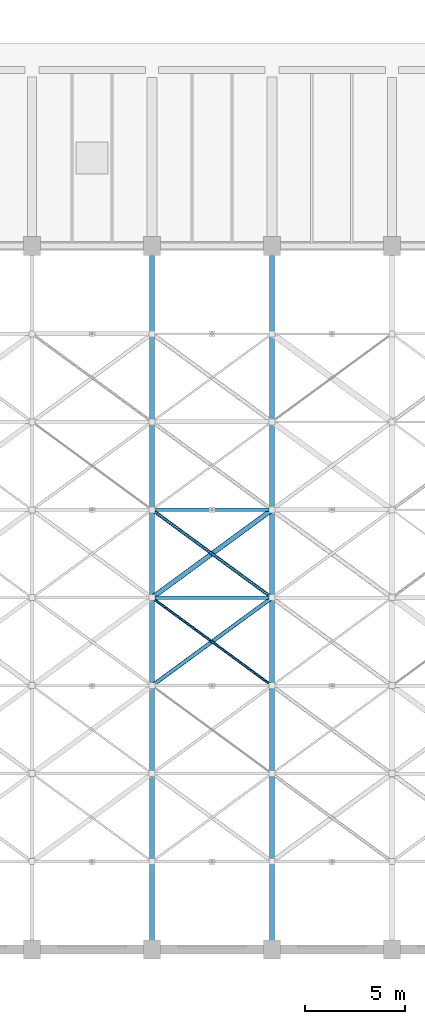
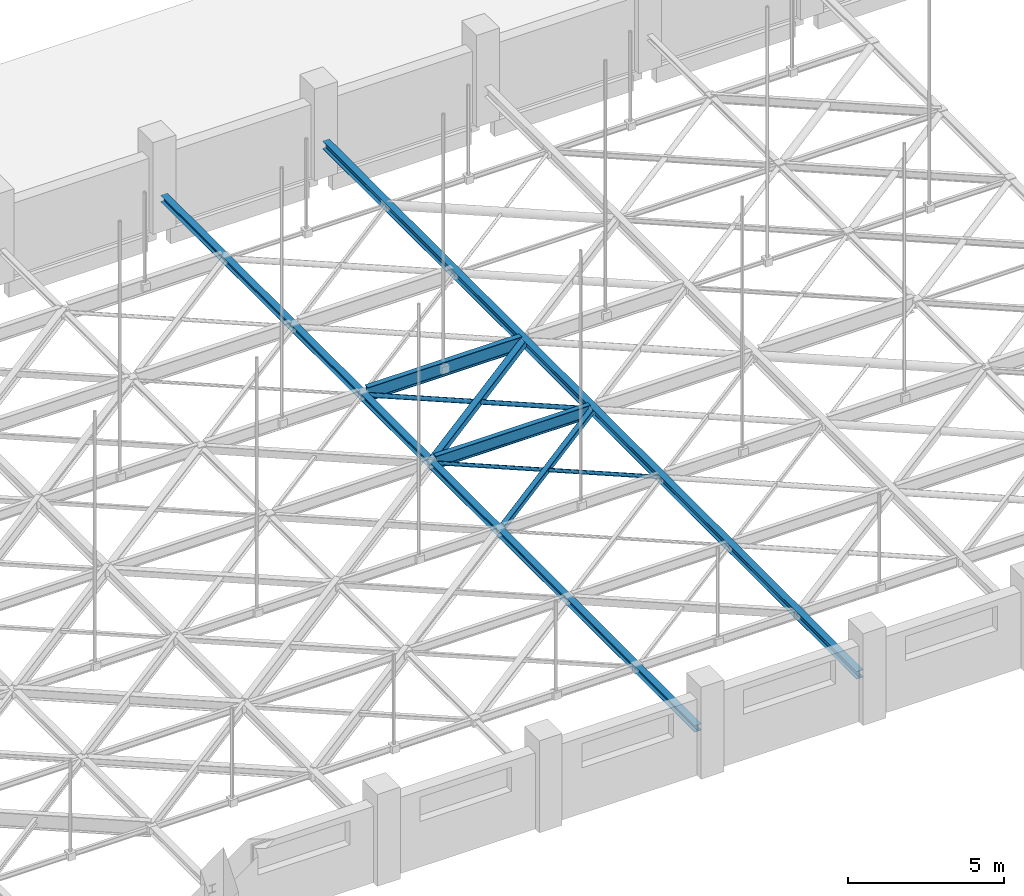
# One storey, part 42 of 93: 4 beams, 4 members.
"""IFC4 building model written with IfcOpenShell, lengths in metres."""

from ifc_helpers import new_model, si_unit, direction, frame, origin, origin_2d, place, context, subcontext, project, spatial, hollow_rectangle, hollow_circle, i_section, extrude, material, material_profile, profile_set, type_object, element, save


model = new_model("IFC4")

# Units and contexts
model_context = context("Model", 3, precision=1e-05, world=origin(), true_north=direction((0.0, 1.0)))
body_context = subcontext(model_context, "Body", "Model", "MODEL_VIEW")
ifc_project = project(units=[si_unit("LENGTHUNIT", "METRE"), si_unit("AREAUNIT", "SQUARE_METRE"), si_unit("VOLUMEUNIT", "CUBIC_METRE"), si_unit("PLANEANGLEUNIT", "RADIAN"), si_unit("MASSUNIT", "GRAM", prefix="KILO")], contexts=[model_context])

# Site, building, storey
site_placement = place(None, origin())
site = spatial("IfcSite", under=ifc_project, at=site_placement, CompositionType="ELEMENT")
building_placement = place(site_placement, origin())
building = spatial("IfcBuilding", under=site, at=building_placement, Name="Varnakota Cinema and Media Centre", CompositionType="ELEMENT")
storey_placement = place(building_placement, frame((0.0, 0.0, 12.0)))
storey = spatial("IfcBuildingStorey", under=building, at=storey_placement, Name="L03", CompositionType="ELEMENT", Elevation=12.0)

# Beams
ifc_material_1 = material(Name="Structural steel Grade 350 (E350)", Category="steel")
ifc_material_profile_1 = material_profile(ifc_material_1, i_section(OverallWidth=0.25, OverallDepth=0.25, WebThickness=0.0087890625, FlangeThickness=0.009765625, FilletRadius=0.010009765625, at=origin_2d()), Name="ISHB 250")
ifc_profile_set_1 = profile_set([ifc_material_profile_1], Name="Structural steel Grade 350 (E350)")
beam_type_1 = type_object("IfcBeamType", Name="BM-ST-ISHB250", PredefinedType="BEAM", material=ifc_profile_set_1)
beam_1_placement = place(storey_placement, frame((105.0, 0.449951171875, 1.300048828125), z_axis=(0.0, 1.0, 0.0), x_axis=(-1.0, 0.0, 0.0)))
element("IfcBeam", 1, at=beam_1_placement, inside=storey, type_object=beam_type_1, Name="V1 acoustic rigging main beam 6", PredefinedType="BEAM", context=body_context, shape_type="SweptSolid", body=[
    extrude(i_section(OverallWidth=0.25, OverallDepth=0.25, WebThickness=0.0087890625, FlangeThickness=0.009765625, FilletRadius=0.010009765625, at=origin_2d()), origin(), (0.0, 0.0, 1.0), 34.300048828125),
])
ifc_material_2 = material(Name="Structural steel Grade 350 (E350)", Category="steel")
ifc_material_profile_2 = material_profile(ifc_material_2, i_section(OverallWidth=0.25, OverallDepth=0.300048828125, WebThickness=0.009521484375, FlangeThickness=0.010498046875, FilletRadius=0.010986328125, at=origin_2d()), Name="ISHB 300")
ifc_profile_set_2 = profile_set([ifc_material_profile_2], Name="Structural steel Grade 350 (E350)")
beam_type_2 = type_object("IfcBeamType", Name="BM-ST-ISHB300", PredefinedType="BEAM", material=ifc_profile_set_2)
beam_2_placement = place(storey_placement, frame((111.0, 0.449951171875, 1.300048828125), z_axis=(0.0, 1.0, 0.0), x_axis=(-1.0, 0.0, 0.0)))
element("IfcBeam", 2, at=beam_2_placement, inside=storey, type_object=beam_type_2, Name="V1 acoustic rigging main beam 7", PredefinedType="BEAM", context=body_context, shape_type="SweptSolid", body=[
    extrude(i_section(OverallWidth=0.25, OverallDepth=0.300048828125, WebThickness=0.009521484375, FlangeThickness=0.010498046875, FilletRadius=0.010986328125, at=origin_2d()), origin(), (0.0, 0.0, 1.0), 34.300048828125),
])
ifc_material_3 = material(Name="Structural steel Grade 350 (E350)", Category="steel")
ifc_material_profile_3 = material_profile(ifc_material_3, i_section(OverallWidth=0.179931640625, OverallDepth=0.5, WebThickness=0.01025390625, FlangeThickness=0.01708984375, FilletRadius=0.01708984375, at=origin_2d()), Name="ISMB 500")
ifc_profile_set_3 = profile_set([ifc_material_profile_3], Name="Structural steel Grade 350 (E350)")
beam_type_3 = type_object("IfcBeamType", Name="BM-ST-ISMB500", PredefinedType="BEAM", material=ifc_profile_set_3)
beam_3_placement = place(storey_placement, frame((105.139892578125, 17.60009765625, 1.300048828125), z_axis=(1.0, 0.0, 0.0), x_axis=(0.0, 1.0, 0.0)))
element("IfcBeam", 3, at=beam_3_placement, inside=storey, type_object=beam_type_3, Name="V1 rigging beam 6.4", PredefinedType="BEAM", context=body_context, shape_type="SweptSolid", body=[
    extrude(i_section(OverallWidth=0.179931640625, OverallDepth=0.5, WebThickness=0.01025390625, FlangeThickness=0.01708984375, FilletRadius=0.01708984375, at=origin_2d()), origin(), (0.0, 0.0, 1.0), 5.72021484375),
])
ifc_material_4 = material(Name="Structural steel Grade 350 (E350)", Category="steel")
ifc_material_profile_4 = material_profile(ifc_material_4, i_section(OverallWidth=0.18994140625, OverallDepth=0.550048828125, WebThickness=0.01123046875, FlangeThickness=0.019287109375, FilletRadius=0.01806640625, at=origin_2d()), Name="ISMB 550")
ifc_profile_set_4 = profile_set([ifc_material_profile_4], Name="Structural steel Grade 350 (E350)")
beam_type_4 = type_object("IfcBeamType", Name="BM-ST-ISMB550", PredefinedType="BEAM", material=ifc_profile_set_4)
beam_4_placement = place(storey_placement, frame((105.139892578125, 22.0, 1.300048828125), z_axis=(1.0, 0.0, 0.0), x_axis=(0.0, 1.0, 0.0)))
element("IfcBeam", 4, at=beam_4_placement, inside=storey, type_object=beam_type_4, Name="V1 rigging beam 6.5", PredefinedType="BEAM", context=body_context, shape_type="SweptSolid", body=[
    extrude(i_section(OverallWidth=0.18994140625, OverallDepth=0.550048828125, WebThickness=0.01123046875, FlangeThickness=0.019287109375, FilletRadius=0.01806640625, at=origin_2d()), origin(), (0.0, 0.0, 1.0), 5.72021484375),
])

# Members
ifc_material_5 = material(Name="Structural steel S355 (YSt 355)", Category="steel")
ifc_material_profile_5 = material_profile(ifc_material_5, hollow_circle(Radius=0.06982421875, WallThickness=0.006103515625, at=origin_2d()), Name="CHS 139.7x6.0")
ifc_profile_set_5 = profile_set([ifc_material_profile_5], Name="Structural steel S355 (YSt 355)")
member_type_1 = type_object("IfcMemberType", Name="MEM-ST-CHS139_7x6_0", PredefinedType="CHORD", material=ifc_profile_set_5)
member_1_placement = place(storey_placement, frame((111.0, 13.199951171875, 1.300048828125), z_axis=(-0.806395607258, 0.591376466048, 0.0), x_axis=(-0.591376466048, -0.806395607258, 0.0)))
element("IfcMember", 5, at=member_1_placement, inside=storey, type_object=member_type_1, Name="V1 rigging plan member B 6.3", PredefinedType="CHORD", context=body_context, shape_type="SweptSolid", body=[
    extrude(hollow_circle(Radius=0.06982421875, WallThickness=0.006103515625, at=origin_2d()), origin(), (0.0, 0.0, 1.0), 7.4404296875),
])
ifc_material_6 = material(Name="Structural steel S355 (YSt 355)", Category="steel")
ifc_material_profile_6 = material_profile(ifc_material_6, hollow_circle(Radius=0.084228515625, WallThickness=0.00634765625, at=origin_2d()), Name="CHS 168.3x6.3")
ifc_profile_set_6 = profile_set([ifc_material_profile_6], Name="Structural steel S355 (YSt 355)")
member_type_2 = type_object("IfcMemberType", Name="MEM-ST-CHS168_3x6_3", PredefinedType="BRACE", material=ifc_profile_set_6)
member_2_placement = place(storey_placement, frame((111.0, 17.60009765625, 1.300048828125), z_axis=(-0.80641125493, 0.591355128432, 0.0), x_axis=(-0.591355128432, -0.80641125493, 0.0)))
element("IfcMember", 6, at=member_2_placement, inside=storey, type_object=member_type_2, Name="V1 rigging plan member B 6.4", PredefinedType="BRACE", context=body_context, shape_type="SweptSolid", body=[
    extrude(hollow_circle(Radius=0.084228515625, WallThickness=0.00634765625, at=origin_2d()), origin(), (0.0, 0.0, 1.0), 7.4404296875),
])
ifc_material_7 = material(Name="Structural steel S355 (YSt 355)", Category="steel")
ifc_material_profile_7 = material_profile(ifc_material_7, hollow_rectangle(XDim=0.199951171875, YDim=0.199951171875, WallThickness=0.010009765625, InnerFilletRadius=0.010009765625, OuterFilletRadius=0.02001953125, at=origin_2d()), Name="SHS 200x200x10")
ifc_profile_set_7 = profile_set([ifc_material_profile_7], Name="Structural steel S355 (YSt 355)")
member_type_3 = type_object("IfcMemberType", Name="MEM-ST-SHS200x200x10", PredefinedType="STRUT", material=ifc_profile_set_7)
member_3_placement = place(storey_placement, frame((105.0, 13.199951171875, 1.300048828125), z_axis=(0.806395607258, 0.591376466048, 0.0), x_axis=(-0.591376466048, 0.806395607258, 0.0)))
element("IfcMember", 7, at=member_3_placement, inside=storey, type_object=member_type_3, Name="V1 rigging plan member A 6.3", PredefinedType="STRUT", context=body_context, shape_type="SweptSolid", body=[
    extrude(hollow_rectangle(XDim=0.199951171875, YDim=0.199951171875, WallThickness=0.010009765625, InnerFilletRadius=0.010009765625, OuterFilletRadius=0.02001953125, at=origin_2d()), origin(), (0.0, 0.0, 1.0), 7.4404296875),
])
ifc_material_8 = material(Name="Structural steel S355 (YSt 355)", Category="steel")
ifc_material_profile_8 = material_profile(ifc_material_8, hollow_rectangle(XDim=0.25, YDim=0.25, WallThickness=0.010009765625, InnerFilletRadius=0.010009765625, OuterFilletRadius=0.02001953125, at=origin_2d()), Name="SHS 250x250x10")
ifc_profile_set_8 = profile_set([ifc_material_profile_8], Name="Structural steel S355 (YSt 355)")
member_type_4 = type_object("IfcMemberType", Name="MEM-ST-SHS250x250x10", PredefinedType="STRUT", material=ifc_profile_set_8)
member_4_placement = place(storey_placement, frame((105.0, 17.60009765625, 1.300048828125), z_axis=(0.80641125493, 0.591355128432, 0.0), x_axis=(-0.591355128432, 0.80641125493, 0.0)))
element("IfcMember", 8, at=member_4_placement, inside=storey, type_object=member_type_4, Name="V1 rigging plan member A 6.4", PredefinedType="STRUT", context=body_context, shape_type="SweptSolid", body=[
    extrude(hollow_rectangle(XDim=0.25, YDim=0.25, WallThickness=0.010009765625, InnerFilletRadius=0.010009765625, OuterFilletRadius=0.02001953125, at=origin_2d()), origin(), (0.0, 0.0, 1.0), 7.4404296875),
])

save(model, "model.ifc")
